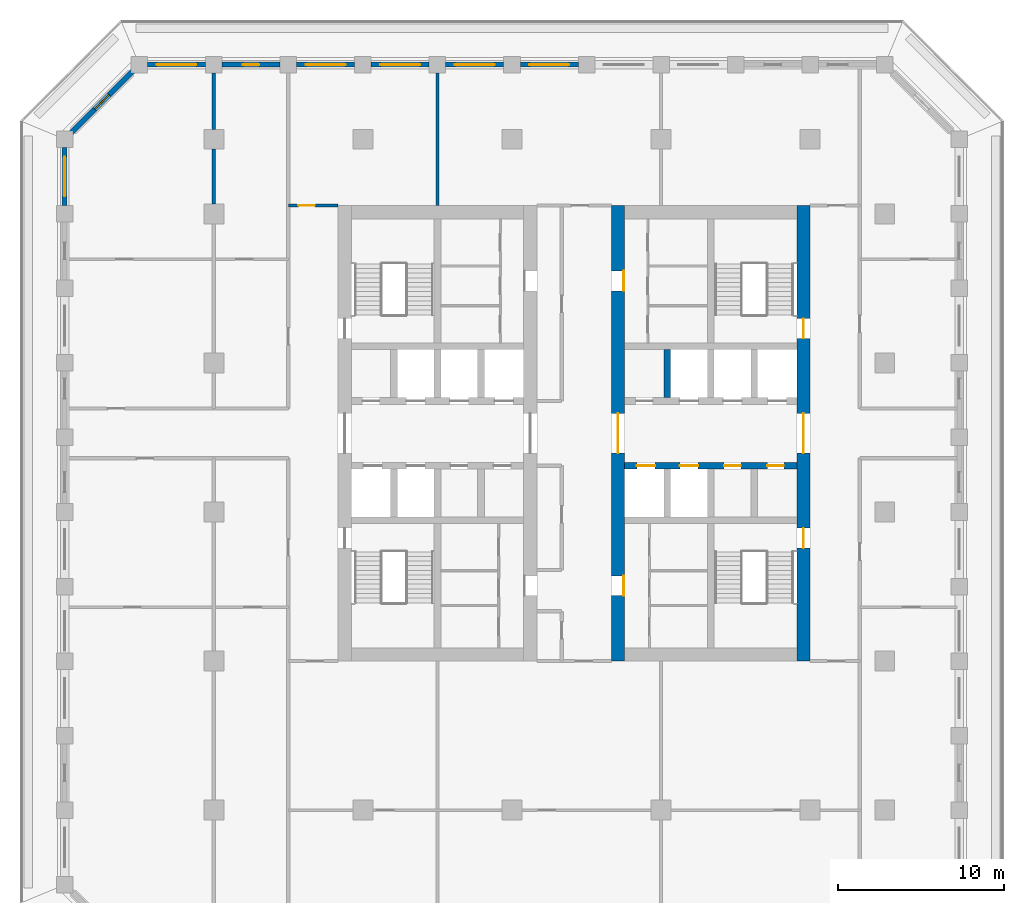
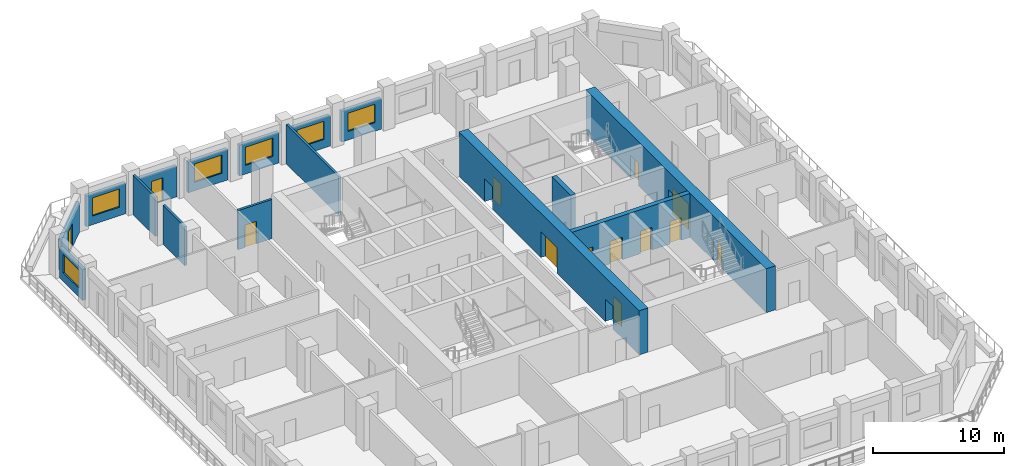
# One storey, part 6 of 16: 16 walls, 13 doors, 6 windows, 19 openings.
"""IFC4 building model written with IfcOpenShell, lengths in metres."""

from ifc_helpers import new_model, si_unit, direction, frame, frame_2d, origin, place, context, subcontext, project, spatial, rectangle, extrude, material, layer, layer_set, type_object, element, fill, save


model = new_model("IFC4")

# Units and contexts
model_context = context("Model", 3, precision=1e-05, world=origin(), true_north=direction((0.0, 1.0)))
body_context = subcontext(model_context, "Body", "Model", "MODEL_VIEW")
ifc_project = project(units=[si_unit("LENGTHUNIT", "METRE"), si_unit("AREAUNIT", "SQUARE_METRE"), si_unit("VOLUMEUNIT", "CUBIC_METRE"), si_unit("PLANEANGLEUNIT", "RADIAN"), si_unit("MASSUNIT", "GRAM", prefix="KILO")], contexts=[model_context])

# Site, building, storey
site_placement = place(None, origin())
site = spatial("IfcSite", under=ifc_project, at=site_placement, CompositionType="ELEMENT")
building_placement = place(site_placement, origin())
building = spatial("IfcBuilding", under=site, at=building_placement, Name="Corbel Stack Research Tower", CompositionType="ELEMENT")
storey_placement = place(building_placement, frame((0.0, 0.0, 169.10009765625)))
storey = spatial("IfcBuildingStorey", under=building, at=storey_placement, Name="L38", CompositionType="ELEMENT", Elevation=169.10009765625)

# Wall, openings, doors
ifc_material_1 = material(Name="Concrete C60/75", Category="concrete")
ifc_layer_1 = layer(ifc_material_1, 0.39990234375)
ifc_layer_set_1 = layer_set([ifc_layer_1], Name="Concrete C60/75")
wall_type_1 = type_object("IfcWallType", Name="CW-400-60", PredefinedType="SHEAR", material=ifc_layer_set_1)
wall_1_placement = place(storey_placement, frame((6.800048828125, 2.800048828125, 0.0), z_axis=(0.0, 0.0, 1.0), x_axis=(1.0, 0.0, 0.0)))
wall_1 = element("IfcWall", 1, at=wall_1_placement, inside=storey, type_object=wall_type_1, Name="East core wall, lobby south L38", PredefinedType="SHEAR", context=body_context, shape_type="SweptSolid", body=[
    extrude(rectangle(XDim=10.39990234375, YDim=0.39990234375, at=frame_2d((5.199951171875, 0.0))), origin(), (0.0, 0.0, 1.0), 4.099853515625),
])
opening_1_placement = place(wall_1_placement, frame((0.737548828125, 0.0, 0.0)))
opening_1 = element("IfcOpeningElement", 2, at=opening_1_placement, cuts=wall_1, Name="Opening LD-FS2", PredefinedType="OPENING", context=body_context, shape_type="SweptSolid", body=[
    extrude(rectangle(XDim=1.10009765625, YDim=2.10009765625, at=frame_2d((0.550048828125, 1.050048828125))), frame((0.0, 0.2099609375, 0.0), z_axis=(0.0, -1.0, 0.0), x_axis=(1.0, 0.0, 0.0)), (0.0, 0.0, 1.0), 0.419921875),
])
opening_2_placement = place(wall_1_placement, frame((3.33740234375, 0.0, 0.0)))
opening_2 = element("IfcOpeningElement", 3, at=opening_2_placement, cuts=wall_1, Name="Opening LD-GL2", PredefinedType="OPENING", context=body_context, shape_type="SweptSolid", body=[
    extrude(rectangle(XDim=1.10009765625, YDim=2.10009765625, at=frame_2d((0.550048828125, 1.050048828125))), frame((0.0, 0.2099609375, 0.0), z_axis=(0.0, -1.0, 0.0), x_axis=(1.0, 0.0, 0.0)), (0.0, 0.0, 1.0), 0.419921875),
])
opening_3_placement = place(wall_1_placement, frame((6.012451171875, 0.0, 0.0)))
opening_3 = element("IfcOpeningElement", 4, at=opening_3_placement, cuts=wall_1, Name="Opening CR-E12-S3", PredefinedType="OPENING", context=body_context, shape_type="SweptSolid", body=[
    extrude(rectangle(XDim=1.0, YDim=2.10009765625, at=frame_2d((0.5, 1.050048828125))), frame((0.0, 0.2099609375, 0.0), z_axis=(0.0, -1.0, 0.0), x_axis=(1.0, 0.0, 0.0)), (0.0, 0.0, 1.0), 0.419921875),
])
opening_4_placement = place(wall_1_placement, frame((8.612548828125, 0.0, 0.0)))
opening_4 = element("IfcOpeningElement", 5, at=opening_4_placement, cuts=wall_1, Name="Opening CR-E12-S4", PredefinedType="OPENING", context=body_context, shape_type="SweptSolid", body=[
    extrude(rectangle(XDim=1.0, YDim=2.10009765625, at=frame_2d((0.5, 1.050048828125))), frame((0.0, 0.2099609375, 0.0), z_axis=(0.0, -1.0, 0.0), x_axis=(1.0, 0.0, 0.0)), (0.0, 0.0, 1.0), 0.419921875),
])
ifc_material_2 = material(Name="Stainless steel landing door", Category="steel")
door_type_1 = type_object("IfcDoorType", Name="Lift landing door 1100 x 2100", OperationType="DOUBLE_DOOR_SLIDING", PredefinedType="DOOR", material=ifc_material_2)
door_1_placement = place(opening_1_placement, origin())
door_1 = element("IfcDoor", 6, at=door_1_placement, inside=storey, type_object=door_type_1, Name="Landing door FS2", OperationType="DOUBLE_DOOR_SLIDING", OverallHeight=2.10009765625, OverallWidth=1.10009765625, PredefinedType="DOOR", context=body_context, shape_type="SweptSolid", body=[
    extrude(rectangle(XDim=1.10009765625, YDim=2.10009765625, at=frame_2d((0.550048828125, 1.050048828125))), frame((0.0, 0.02490234375, 0.0), z_axis=(0.0, -1.0, 0.0), x_axis=(1.0, 0.0, 0.0)), (0.0, 0.0, 1.0), 0.050048828125),
])
fill(opening_1, door_1)
door_2_placement = place(opening_2_placement, origin())
door_2 = element("IfcDoor", 7, at=door_2_placement, inside=storey, type_object=door_type_1, Name="Landing door GL2", OperationType="DOUBLE_DOOR_SLIDING", OverallHeight=2.10009765625, OverallWidth=1.10009765625, PredefinedType="DOOR", context=body_context, shape_type="SweptSolid", body=[
    extrude(rectangle(XDim=1.10009765625, YDim=2.10009765625, at=frame_2d((0.550048828125, 1.050048828125))), frame((0.0, 0.02490234375, 0.0), z_axis=(0.0, -1.0, 0.0), x_axis=(1.0, 0.0, 0.0)), (0.0, 0.0, 1.0), 0.050048828125),
])
fill(opening_2, door_2)
ifc_material_3 = material(Name="Painted steel door", Category="steel")
door_type_2 = type_object("IfcDoorType", Name="Service door 1000 x 2100 FD60 left hand", OperationType="SINGLE_SWING_LEFT", PredefinedType="DOOR", material=ifc_material_3)
door_3_placement = place(opening_3_placement, origin())
door_3 = element("IfcDoor", 8, at=door_3_placement, inside=storey, type_object=door_type_2, Name="Staff WC door E core", OperationType="SINGLE_SWING_LEFT", OverallHeight=2.10009765625, OverallWidth=1.0, PredefinedType="DOOR", context=body_context, shape_type="SweptSolid", body=[
    extrude(rectangle(XDim=1.0, YDim=2.10009765625, at=frame_2d((0.5, 1.050048828125))), frame((0.0, 0.02490234375, 0.0), z_axis=(0.0, -1.0, 0.0), x_axis=(1.0, 0.0, 0.0)), (0.0, 0.0, 1.0), 0.050048828125),
])
fill(opening_3, door_3)
ifc_material_4 = material(Name="Painted steel door", Category="steel")
door_type_3 = type_object("IfcDoorType", Name="Service door 1000 x 2100 FD60 right hand", OperationType="SINGLE_SWING_RIGHT", PredefinedType="DOOR", material=ifc_material_4)
door_4_placement = place(opening_4_placement, origin())
door_4 = element("IfcDoor", 9, at=door_4_placement, inside=storey, type_object=door_type_3, Name="Laboratory consumables store door E core", OperationType="SINGLE_SWING_RIGHT", OverallHeight=2.10009765625, OverallWidth=1.0, PredefinedType="DOOR", context=body_context, shape_type="SweptSolid", body=[
    extrude(rectangle(XDim=1.0, YDim=2.10009765625, at=frame_2d((0.5, 1.050048828125))), frame((0.0, 0.02490234375, 0.0), z_axis=(0.0, -1.0, 0.0), x_axis=(1.0, 0.0, 0.0)), (0.0, 0.0, 1.0), 0.050048828125),
])
fill(opening_4, door_4)

# Wall
wall_2_placement = place(storey_placement, frame((9.375, 6.89990234375, 0.0), z_axis=(0.0, 0.0, 1.0), x_axis=(0.0, 1.0, 0.0)))
element("IfcWall", 10, at=wall_2_placement, inside=storey, type_object=wall_type_1, Name="East core wall, north shaft 1 L38", PredefinedType="SHEAR", context=body_context, shape_type="SweptSolid", body=[
    extrude(rectangle(XDim=2.900146484375, YDim=0.39990234375, at=frame_2d((1.4501953125, 0.0))), origin(), (0.0, 0.0, 1.0), 4.099853515625),
])

# Wall, openings, doors
ifc_material_5 = material(Name="Concrete C60/75", Category="concrete")
ifc_layer_2 = layer(ifc_material_5, 0.800048828125)
ifc_layer_set_2 = layer_set([ifc_layer_2], Name="Concrete C60/75")
wall_type_2 = type_object("IfcWallType", Name="CW-800-60", PredefinedType="SHEAR", material=ifc_layer_set_2)
wall_3_placement = place(storey_placement, frame((6.39990234375, -9.0, 0.0), z_axis=(0.0, 0.0, 1.0), x_axis=(0.0, 1.0, 0.0)))
wall_3 = element("IfcWall", 11, at=wall_3_placement, inside=storey, type_object=wall_type_2, Name="East core wall, west face L38", PredefinedType="SHEAR", context=body_context, shape_type="SweptSolid", body=[
    extrude(rectangle(XDim=27.5, YDim=0.800048828125, at=frame_2d((13.75, 0.0))), origin(), (0.0, 0.0, 1.0), 4.099853515625),
])
opening_5_placement = place(wall_3_placement, frame((12.550048828125, 0.0, 0.0)))
opening_5 = element("IfcOpeningElement", 12, at=opening_5_placement, cuts=wall_3, Name="Opening CD-E-W", PredefinedType="OPENING", context=body_context, shape_type="SweptSolid", body=[
    extrude(rectangle(XDim=2.39990234375, YDim=2.39990234375, at=frame_2d((1.199951171875, 1.199951171875))), frame((0.0, 0.409912109375, 0.0), z_axis=(0.0, -1.0, 0.0), x_axis=(1.0, 0.0, 0.0)), (0.0, 0.0, 1.0), 0.820068359375),
])
opening_6_placement = place(wall_3_placement, frame((3.949951171875, 0.0, 0.0)))
opening_6 = element("IfcOpeningElement", 13, at=opening_6_placement, cuts=wall_3, Name="Opening CR-E12-W1-1200", PredefinedType="OPENING", context=body_context, shape_type="SweptSolid", body=[
    extrude(rectangle(XDim=1.199951171875, YDim=2.10009765625, at=frame_2d((0.60009765625, 1.050048828125))), frame((0.0, 0.409912109375, 0.0), z_axis=(0.0, -1.0, 0.0), x_axis=(1.0, 0.0, 0.0)), (0.0, 0.0, 1.0), 0.820068359375),
])
opening_7_placement = place(wall_3_placement, frame((22.35009765625, 0.0, 0.0)))
opening_7 = element("IfcOpeningElement", 14, at=opening_7_placement, cuts=wall_3, Name="Opening CR-E12-R1-1200", PredefinedType="OPENING", context=body_context, shape_type="SweptSolid", body=[
    extrude(rectangle(XDim=1.199951171875, YDim=2.10009765625, at=frame_2d((0.60009765625, 1.050048828125))), frame((0.0, 0.409912109375, 0.0), z_axis=(0.0, -1.0, 0.0), x_axis=(1.0, 0.0, 0.0)), (0.0, 0.0, 1.0), 0.820068359375),
])
ifc_material_6 = material(Name="Painted steel fire door", Category="steel")
door_type_4 = type_object("IfcDoorType", Name="Lobby door pair 2400 x 2400 FD30S", OperationType="DOUBLE_DOOR_DOUBLE_SWING", PredefinedType="DOOR", material=ifc_material_6)
door_5_placement = place(opening_5_placement, origin())
door_5 = element("IfcDoor", 15, at=door_5_placement, inside=storey, type_object=door_type_4, Name="Lift lobby door E core W", OperationType="DOUBLE_DOOR_DOUBLE_SWING", OverallHeight=2.39990234375, OverallWidth=2.39990234375, PredefinedType="DOOR", context=body_context, shape_type="SweptSolid", body=[
    extrude(rectangle(XDim=2.39990234375, YDim=2.39990234375, at=frame_2d((1.199951171875, 1.199951171875))), frame((0.0, 0.02490234375, 0.0), z_axis=(0.0, -1.0, 0.0), x_axis=(1.0, 0.0, 0.0)), (0.0, 0.0, 1.0), 0.050048828125),
])
fill(opening_5, door_5)
ifc_material_7 = material(Name="Painted steel door", Category="steel")
door_type_5 = type_object("IfcDoorType", Name="Service door 1200 x 2100 FD30 right hand", OperationType="SINGLE_SWING_RIGHT", PredefinedType="DOOR", material=ifc_material_7)
door_6_placement = place(opening_7_placement, origin())
door_6 = element("IfcDoor", 16, at=door_6_placement, inside=storey, type_object=door_type_5, Name="Service passage door E core", OperationType="SINGLE_SWING_RIGHT", OverallHeight=2.10009765625, OverallWidth=1.199951171875, PredefinedType="DOOR", context=body_context, shape_type="SweptSolid", body=[
    extrude(rectangle(XDim=1.199951171875, YDim=2.10009765625, at=frame_2d((0.60009765625, 1.050048828125))), frame((0.0, -0.3251953125, 0.0), z_axis=(0.0, -1.0, 0.0), x_axis=(1.0, 0.0, 0.0)), (0.0, 0.0, 1.0), 0.050048828125),
])
fill(opening_7, door_6)
ifc_material_8 = material(Name="Painted timber door", Category="wood")
door_type_6 = type_object("IfcDoorType", Name="WC door 1200 x 2100 right hand", OperationType="SINGLE_SWING_RIGHT", PredefinedType="DOOR", material=ifc_material_8)
door_7_placement = place(opening_6_placement, origin())
door_7 = element("IfcDoor", 17, at=door_7_placement, inside=storey, type_object=door_type_6, Name="WC lobby door E core", OperationType="SINGLE_SWING_RIGHT", OverallHeight=2.10009765625, OverallWidth=1.199951171875, PredefinedType="DOOR", context=body_context, shape_type="SweptSolid", body=[
    extrude(rectangle(XDim=1.199951171875, YDim=2.10009765625, at=frame_2d((0.60009765625, 1.050048828125))), frame((0.0, -0.3251953125, 0.0), z_axis=(0.0, -1.0, 0.0), x_axis=(1.0, 0.0, 0.0)), (0.0, 0.0, 1.0), 0.050048828125),
])
fill(opening_6, door_7)

wall_4_placement = place(storey_placement, frame((17.60009765625, -9.0, 0.0), z_axis=(0.0, 0.0, 1.0), x_axis=(0.0, 1.0, 0.0)))
wall_4 = element("IfcWall", 18, at=wall_4_placement, inside=storey, type_object=wall_type_2, Name="East core wall, east face L38", PredefinedType="SHEAR", context=body_context, shape_type="SweptSolid", body=[
    extrude(rectangle(XDim=27.5, YDim=0.800048828125, at=frame_2d((13.75, 0.0))), origin(), (0.0, 0.0, 1.0), 4.099853515625),
])
opening_8_placement = place(wall_4_placement, frame((12.550048828125, 0.0, 0.0)))
opening_8 = element("IfcOpeningElement", 19, at=opening_8_placement, cuts=wall_4, Name="Opening CD-E-E", PredefinedType="OPENING", context=body_context, shape_type="SweptSolid", body=[
    extrude(rectangle(XDim=2.39990234375, YDim=2.39990234375, at=frame_2d((1.199951171875, 1.199951171875))), frame((0.0, 0.409912109375, 0.0), z_axis=(0.0, -1.0, 0.0), x_axis=(1.0, 0.0, 0.0)), (0.0, 0.0, 1.0), 0.820068359375),
])
opening_9_placement = place(wall_4_placement, frame((6.824951171875, 0.0, 0.0)))
opening_9 = element("IfcOpeningElement", 20, at=opening_9_placement, cuts=wall_4, Name="Opening SD-ST-E1", PredefinedType="OPENING", context=body_context, shape_type="SweptSolid", body=[
    extrude(rectangle(XDim=1.199951171875, YDim=2.10009765625, at=frame_2d((0.60009765625, 1.050048828125))), frame((0.0, 0.409912109375, 0.0), z_axis=(0.0, -1.0, 0.0), x_axis=(1.0, 0.0, 0.0)), (0.0, 0.0, 1.0), 0.820068359375),
])
opening_10_placement = place(wall_4_placement, frame((19.47509765625, 0.0, 0.0)))
opening_10 = element("IfcOpeningElement", 21, at=opening_10_placement, cuts=wall_4, Name="Opening SD-ST-E2", PredefinedType="OPENING", context=body_context, shape_type="SweptSolid", body=[
    extrude(rectangle(XDim=1.199951171875, YDim=2.10009765625, at=frame_2d((0.60009765625, 1.050048828125))), frame((0.0, 0.409912109375, 0.0), z_axis=(0.0, -1.0, 0.0), x_axis=(1.0, 0.0, 0.0)), (0.0, 0.0, 1.0), 0.820068359375),
])
door_8_placement = place(opening_8_placement, origin())
door_8 = element("IfcDoor", 22, at=door_8_placement, inside=storey, type_object=door_type_4, Name="Lift lobby door E core E", OperationType="DOUBLE_DOOR_DOUBLE_SWING", OverallHeight=2.39990234375, OverallWidth=2.39990234375, PredefinedType="DOOR", context=body_context, shape_type="SweptSolid", body=[
    extrude(rectangle(XDim=2.39990234375, YDim=2.39990234375, at=frame_2d((1.199951171875, 1.199951171875))), frame((0.0, 0.02490234375, 0.0), z_axis=(0.0, -1.0, 0.0), x_axis=(1.0, 0.0, 0.0)), (0.0, 0.0, 1.0), 0.050048828125),
])
fill(opening_8, door_8)
ifc_material_9 = material(Name="Painted steel fire door", Category="steel")
door_type_7 = type_object("IfcDoorType", Name="Stair door 1200 x 2100 FD90 right hand", OperationType="SINGLE_SWING_RIGHT", PredefinedType="DOOR", material=ifc_material_9)
door_9_placement = place(opening_9_placement, frame((1.199951171875, 0.0, 0.0), z_axis=(0.0, 0.0, 1.0), x_axis=(-1.0, 0.0, 0.0)))
door_9 = element("IfcDoor", 23, at=door_9_placement, inside=storey, type_object=door_type_7, Name="Stair door ST-E1", OperationType="SINGLE_SWING_LEFT", OverallHeight=2.10009765625, OverallWidth=1.199951171875, PredefinedType="DOOR", context=body_context, shape_type="SweptSolid", body=[
    extrude(rectangle(XDim=1.199951171875, YDim=2.10009765625, at=frame_2d((0.60009765625, 1.050048828125))), frame((0.0, 0.02490234375, 0.0), z_axis=(0.0, -1.0, 0.0), x_axis=(1.0, 0.0, 0.0)), (0.0, 0.0, 1.0), 0.050048828125),
])
fill(opening_9, door_9)
door_10_placement = place(opening_10_placement, frame((1.199951171875, 0.0, 0.0), z_axis=(0.0, 0.0, 1.0), x_axis=(-1.0, 0.0, 0.0)))
door_10 = element("IfcDoor", 24, at=door_10_placement, inside=storey, type_object=door_type_7, Name="Stair door ST-E2", OperationType="SINGLE_SWING_LEFT", OverallHeight=2.10009765625, OverallWidth=1.199951171875, PredefinedType="DOOR", context=body_context, shape_type="SweptSolid", body=[
    extrude(rectangle(XDim=1.199951171875, YDim=2.10009765625, at=frame_2d((0.60009765625, 1.050048828125))), frame((0.0, 0.02490234375, 0.0), z_axis=(0.0, -1.0, 0.0), x_axis=(1.0, 0.0, 0.0)), (0.0, 0.0, 1.0), 0.050048828125),
])
fill(opening_10, door_10)

# Walls
ifc_material_10 = material(Name="Fire-rated gypsum board partition on steel studs", Category="steel")
ifc_layer_3 = layer(ifc_material_10, 0.199951171875)
ifc_layer_set_3 = layer_set([ifc_layer_3], Name="Fire-rated gypsum board partition on steel studs")
wall_type_3 = type_object("IfcWallType", Name="Fire-rated partition 200 EI 60", PredefinedType="PARTITIONING", material=ifc_layer_set_3)
wall_5_placement = place(storey_placement, frame((-18.0, 18.60009765625, 0.0), z_axis=(0.0, 0.0, 1.0), x_axis=(0.0, 1.0, 0.0)))
element("IfcWall", 25, at=wall_5_placement, inside=storey, type_object=wall_type_3, Name="Partition L38-007", PredefinedType="PARTITIONING", context=body_context, shape_type="SweptSolid", body=[
    extrude(rectangle(XDim=3.2998046875, YDim=0.199951171875, at=frame_2d((1.64990234375, 0.0))), origin(), (0.0, 0.0, 1.0), 3.64990234375),
])
wall_6_placement = place(storey_placement, frame((-18.0, 23.10009765625, 0.0), z_axis=(0.0, 0.0, 1.0), x_axis=(0.0, 1.0, 0.0)))
element("IfcWall", 26, at=wall_6_placement, inside=storey, type_object=wall_type_3, Name="Partition L38-008", PredefinedType="PARTITIONING", context=body_context, shape_type="SweptSolid", body=[
    extrude(rectangle(XDim=3.39990234375, YDim=0.199951171875, at=frame_2d((1.699951171875, 0.0))), origin(), (0.0, 0.0, 1.0), 3.64990234375),
])
wall_7_placement = place(storey_placement, frame((-4.5, 18.5, 0.0), z_axis=(0.0, 0.0, 1.0), x_axis=(0.0, 1.0, 0.0)))
element("IfcWall", 27, at=wall_7_placement, inside=storey, type_object=wall_type_3, Name="Partition L38-012", PredefinedType="PARTITIONING", context=body_context, shape_type="SweptSolid", body=[
    extrude(rectangle(XDim=8.0, YDim=0.199951171875, at=frame_2d((4.0, 0.0))), origin(), (0.0, 0.0, 1.0), 3.64990234375),
])

# Wall, opening, door
wall_8_placement = place(storey_placement, frame((-13.5, 18.5, 0.0), z_axis=(0.0, 0.0, 1.0), x_axis=(1.0, 0.0, 0.0)))
wall_8 = element("IfcWall", 28, at=wall_8_placement, inside=storey, type_object=wall_type_3, Name="Partition L38-042", PredefinedType="PARTITIONING", context=body_context, shape_type="SweptSolid", body=[
    extrude(rectangle(XDim=3.0, YDim=0.199951171875, at=frame_2d((1.5, 0.0))), origin(), (0.0, 0.0, 1.0), 3.64990234375),
])
opening_11_placement = place(wall_8_placement, frame((0.60009765625, 0.0, 0.0)))
opening_11 = element("IfcOpeningElement", 29, at=opening_11_placement, cuts=wall_8, Name="Opening B5V1-020", PredefinedType="OPENING", context=body_context, shape_type="SweptSolid", body=[
    extrude(rectangle(XDim=1.0, YDim=2.10009765625, at=frame_2d((0.5, 1.050048828125))), frame((0.0, 0.10986328125, 0.0), z_axis=(0.0, -1.0, 0.0), x_axis=(1.0, 0.0, 0.0)), (0.0, 0.0, 1.0), 0.219970703125),
])
ifc_material_11 = material(Name="Painted steel fire door", Category="steel")
door_type_8 = type_object("IfcDoorType", Name="Fire door FD30S 1000 x 2100", OperationType="NOTDEFINED", PredefinedType="DOOR", material=ifc_material_11)
door_11_placement = place(opening_11_placement, origin())
door_11 = element("IfcDoor", 30, at=door_11_placement, inside=storey, type_object=door_type_8, Name="Door B5V1-020", OperationType="SINGLE_SWING_LEFT", OverallHeight=2.10009765625, OverallWidth=1.0, PredefinedType="DOOR", context=body_context, shape_type="SweptSolid", body=[
    extrude(rectangle(XDim=1.0, YDim=2.10009765625, at=frame_2d((0.5, 1.050048828125))), frame((0.0, 0.02490234375, 0.0), z_axis=(0.0, -1.0, 0.0), x_axis=(1.0, 0.0, 0.0)), (0.0, 0.0, 1.0), 0.050048828125),
])
fill(opening_11, door_11)

# Wall, opening, window
ifc_material_12 = material(Name="Concrete C45/55", Category="concrete")
ifc_layer_4 = layer(ifc_material_12, 0.300048828125)
ifc_layer_set_4 = layer_set([ifc_layer_4], Name="Concrete C45/55")
wall_type_4 = type_object("IfcWallType", Name="Terracotta-faced concrete wall 300", PredefinedType="SOLIDWALL", material=ifc_layer_set_4)
wall_9_placement = place(storey_placement, frame((0.5, 27.0, 0.0), z_axis=(0.0, 0.0, 1.0), x_axis=(1.0, 0.0, 0.0)))
wall_9 = element("IfcWall", 31, at=wall_9_placement, inside=storey, type_object=wall_type_4, Name="Facade wall L38 N05", PredefinedType="SOLIDWALL", context=body_context, shape_type="SweptSolid", body=[
    extrude(rectangle(XDim=3.5, YDim=0.300048828125, at=frame_2d((1.75, 0.0))), origin(), (0.0, 0.0, 1.0), 2.849853515625),
])
opening_12_placement = place(wall_9_placement, frame((0.550048828125, 0.0, 0.800048828125)))
opening_12 = element("IfcOpeningElement", 32, at=opening_12_placement, cuts=wall_9, Name="Opening W1", PredefinedType="OPENING", context=body_context, shape_type="SweptSolid", body=[
    extrude(rectangle(XDim=2.39990234375, YDim=1.699951171875, at=frame_2d((1.199951171875, 0.85009765625))), frame((0.0, 0.159912109375, 0.0), z_axis=(0.0, -1.0, 0.0), x_axis=(1.0, 0.0, 0.0)), (0.0, 0.0, 1.0), 0.320068359375),
])
ifc_material_13 = material(Name="Aluminium frame, clear double glazing", Category="aluminium")
window_type = type_object("IfcWindowType", Name="Window W1 2400 x 1700", PartitioningType="SINGLE_PANEL", PredefinedType="WINDOW", material=ifc_material_13)
window_1_placement = place(opening_12_placement, origin())
window_1 = element("IfcWindow", 33, at=window_1_placement, inside=storey, type_object=window_type, Name="Window W1 L38 N05", OverallHeight=1.699951171875, OverallWidth=2.39990234375, PartitioningType="SINGLE_PANEL", PredefinedType="WINDOW", context=body_context, shape_type="SweptSolid", body=[
    extrude(rectangle(XDim=2.39990234375, YDim=1.699951171875, at=frame_2d((1.199951171875, 0.85009765625))), frame((0.0, 0.030029296875, 0.0), z_axis=(0.0, -1.0, 0.0), x_axis=(1.0, 0.0, 0.0)), (0.0, 0.0, 1.0), 0.06005859375),
])
fill(opening_12, window_1)

wall_10_placement = place(storey_placement, frame((-4.0, 27.0, 0.0), z_axis=(0.0, 0.0, 1.0), x_axis=(1.0, 0.0, 0.0)))
wall_10 = element("IfcWall", 34, at=wall_10_placement, inside=storey, type_object=wall_type_4, Name="Facade wall L38 N06", PredefinedType="SOLIDWALL", context=body_context, shape_type="SweptSolid", body=[
    extrude(rectangle(XDim=3.5, YDim=0.300048828125, at=frame_2d((1.75, 0.0))), origin(), (0.0, 0.0, 1.0), 2.849853515625),
])
opening_13_placement = place(wall_10_placement, frame((0.550048828125, 0.0, 0.800048828125)))
opening_13 = element("IfcOpeningElement", 35, at=opening_13_placement, cuts=wall_10, Name="Opening W1", PredefinedType="OPENING", context=body_context, shape_type="SweptSolid", body=[
    extrude(rectangle(XDim=2.39990234375, YDim=1.699951171875, at=frame_2d((1.199951171875, 0.85009765625))), frame((0.0, 0.159912109375, 0.0), z_axis=(0.0, -1.0, 0.0), x_axis=(1.0, 0.0, 0.0)), (0.0, 0.0, 1.0), 0.320068359375),
])
window_2_placement = place(opening_13_placement, origin())
window_2 = element("IfcWindow", 36, at=window_2_placement, inside=storey, type_object=window_type, Name="Window W1 L38 N06", OverallHeight=1.699951171875, OverallWidth=2.39990234375, PartitioningType="SINGLE_PANEL", PredefinedType="WINDOW", context=body_context, shape_type="SweptSolid", body=[
    extrude(rectangle(XDim=2.39990234375, YDim=1.699951171875, at=frame_2d((1.199951171875, 0.85009765625))), frame((0.0, 0.030029296875, 0.0), z_axis=(0.0, -1.0, 0.0), x_axis=(1.0, 0.0, 0.0)), (0.0, 0.0, 1.0), 0.06005859375),
])
fill(opening_13, window_2)

wall_11_placement = place(storey_placement, frame((-8.5, 27.0, 0.0), z_axis=(0.0, 0.0, 1.0), x_axis=(1.0, 0.0, 0.0)))
wall_11 = element("IfcWall", 37, at=wall_11_placement, inside=storey, type_object=wall_type_4, Name="Facade wall L38 N07", PredefinedType="SOLIDWALL", context=body_context, shape_type="SweptSolid", body=[
    extrude(rectangle(XDim=3.5, YDim=0.300048828125, at=frame_2d((1.75, 0.0))), origin(), (0.0, 0.0, 1.0), 2.849853515625),
])
opening_14_placement = place(wall_11_placement, frame((0.550048828125, 0.0, 0.800048828125)))
opening_14 = element("IfcOpeningElement", 38, at=opening_14_placement, cuts=wall_11, Name="Opening W1", PredefinedType="OPENING", context=body_context, shape_type="SweptSolid", body=[
    extrude(rectangle(XDim=2.39990234375, YDim=1.699951171875, at=frame_2d((1.199951171875, 0.85009765625))), frame((0.0, 0.159912109375, 0.0), z_axis=(0.0, -1.0, 0.0), x_axis=(1.0, 0.0, 0.0)), (0.0, 0.0, 1.0), 0.320068359375),
])
window_3_placement = place(opening_14_placement, origin())
window_3 = element("IfcWindow", 39, at=window_3_placement, inside=storey, type_object=window_type, Name="Window W1 L38 N07", OverallHeight=1.699951171875, OverallWidth=2.39990234375, PartitioningType="SINGLE_PANEL", PredefinedType="WINDOW", context=body_context, shape_type="SweptSolid", body=[
    extrude(rectangle(XDim=2.39990234375, YDim=1.699951171875, at=frame_2d((1.199951171875, 0.85009765625))), frame((0.0, 0.030029296875, 0.0), z_axis=(0.0, -1.0, 0.0), x_axis=(1.0, 0.0, 0.0)), (0.0, 0.0, 1.0), 0.06005859375),
])
fill(opening_14, window_3)

wall_12_placement = place(storey_placement, frame((-13.0, 27.0, 0.0), z_axis=(0.0, 0.0, 1.0), x_axis=(1.0, 0.0, 0.0)))
wall_12 = element("IfcWall", 40, at=wall_12_placement, inside=storey, type_object=wall_type_4, Name="Facade wall L38 N08", PredefinedType="SOLIDWALL", context=body_context, shape_type="SweptSolid", body=[
    extrude(rectangle(XDim=3.5, YDim=0.300048828125, at=frame_2d((1.75, 0.0))), origin(), (0.0, 0.0, 1.0), 2.849853515625),
])
opening_15_placement = place(wall_12_placement, frame((0.550048828125, 0.0, 0.800048828125)))
opening_15 = element("IfcOpeningElement", 41, at=opening_15_placement, cuts=wall_12, Name="Opening W1", PredefinedType="OPENING", context=body_context, shape_type="SweptSolid", body=[
    extrude(rectangle(XDim=2.39990234375, YDim=1.699951171875, at=frame_2d((1.199951171875, 0.85009765625))), frame((0.0, 0.159912109375, 0.0), z_axis=(0.0, -1.0, 0.0), x_axis=(1.0, 0.0, 0.0)), (0.0, 0.0, 1.0), 0.320068359375),
])
window_4_placement = place(opening_15_placement, origin())
window_4 = element("IfcWindow", 42, at=window_4_placement, inside=storey, type_object=window_type, Name="Window W1 L38 N08", OverallHeight=1.699951171875, OverallWidth=2.39990234375, PartitioningType="SINGLE_PANEL", PredefinedType="WINDOW", context=body_context, shape_type="SweptSolid", body=[
    extrude(rectangle(XDim=2.39990234375, YDim=1.699951171875, at=frame_2d((1.199951171875, 0.85009765625))), frame((0.0, 0.030029296875, 0.0), z_axis=(0.0, -1.0, 0.0), x_axis=(1.0, 0.0, 0.0)), (0.0, 0.0, 1.0), 0.06005859375),
])
fill(opening_15, window_4)

# Wall, opening, door
wall_13_placement = place(storey_placement, frame((-17.5, 27.0, 0.0), z_axis=(0.0, 0.0, 1.0), x_axis=(1.0, 0.0, 0.0)))
wall_13 = element("IfcWall", 43, at=wall_13_placement, inside=storey, type_object=wall_type_4, Name="Facade wall L38 N09", PredefinedType="SOLIDWALL", context=body_context, shape_type="SweptSolid", body=[
    extrude(rectangle(XDim=3.5, YDim=0.300048828125, at=frame_2d((1.75, 0.0))), origin(), (0.0, 0.0, 1.0), 2.849853515625),
])
opening_16_placement = place(wall_13_placement, frame((1.25, 0.0, 0.0)))
opening_16 = element("IfcOpeningElement", 44, at=opening_16_placement, cuts=wall_13, Name="Opening L38-B08", PredefinedType="OPENING", context=body_context, shape_type="SweptSolid", body=[
    extrude(rectangle(XDim=1.0, YDim=2.199951171875, at=frame_2d((0.5, 1.10009765625))), frame((0.0, 0.159912109375, 0.0), z_axis=(0.0, -1.0, 0.0), x_axis=(1.0, 0.0, 0.0)), (0.0, 0.0, 1.0), 0.320068359375),
])
ifc_material_14 = material(Name="Aluminium frame, clear double glazing", Category="aluminium")
door_type_9 = type_object("IfcDoorType", Name="Balcony door BD1 1000 x 2200", OperationType="NOTDEFINED", PredefinedType="DOOR", material=ifc_material_14)
door_12_placement = place(opening_16_placement, origin())
door_12 = element("IfcDoor", 45, at=door_12_placement, inside=storey, type_object=door_type_9, Name="Balcony door L38-B08", OperationType="SINGLE_SWING_LEFT", OverallHeight=2.199951171875, OverallWidth=1.0, PredefinedType="DOOR", context=body_context, shape_type="SweptSolid", body=[
    extrude(rectangle(XDim=1.0, YDim=2.199951171875, at=frame_2d((0.5, 1.10009765625))), frame((0.0, 0.02490234375, 0.0), z_axis=(0.0, -1.0, 0.0), x_axis=(1.0, 0.0, 0.0)), (0.0, 0.0, 1.0), 0.050048828125),
])
fill(opening_16, door_12)

# Wall, opening, window
wall_14_placement = place(storey_placement, frame((-22.0, 27.0, 0.0), z_axis=(0.0, 0.0, 1.0), x_axis=(1.0, 0.0, 0.0)))
wall_14 = element("IfcWall", 46, at=wall_14_placement, inside=storey, type_object=wall_type_4, Name="Facade wall L38 N10", PredefinedType="SOLIDWALL", context=body_context, shape_type="SweptSolid", body=[
    extrude(rectangle(XDim=3.5, YDim=0.300048828125, at=frame_2d((1.75, 0.0))), origin(), (0.0, 0.0, 1.0), 2.849853515625),
])
opening_17_placement = place(wall_14_placement, frame((0.550048828125, 0.0, 0.800048828125)))
opening_17 = element("IfcOpeningElement", 47, at=opening_17_placement, cuts=wall_14, Name="Opening W1", PredefinedType="OPENING", context=body_context, shape_type="SweptSolid", body=[
    extrude(rectangle(XDim=2.39990234375, YDim=1.699951171875, at=frame_2d((1.199951171875, 0.85009765625))), frame((0.0, 0.159912109375, 0.0), z_axis=(0.0, -1.0, 0.0), x_axis=(1.0, 0.0, 0.0)), (0.0, 0.0, 1.0), 0.320068359375),
])
window_5_placement = place(opening_17_placement, origin())
window_5 = element("IfcWindow", 48, at=window_5_placement, inside=storey, type_object=window_type, Name="Window W1 L38 N10", OverallHeight=1.699951171875, OverallWidth=2.39990234375, PartitioningType="SINGLE_PANEL", PredefinedType="WINDOW", context=body_context, shape_type="SweptSolid", body=[
    extrude(rectangle(XDim=2.39990234375, YDim=1.699951171875, at=frame_2d((1.199951171875, 0.85009765625))), frame((0.0, 0.030029296875, 0.0), z_axis=(0.0, -1.0, 0.0), x_axis=(1.0, 0.0, 0.0)), (0.0, 0.0, 1.0), 0.06005859375),
])
fill(opening_17, window_5)

# Wall, opening, door
wall_15_placement = place(storey_placement, frame((-26.606201171875, 22.893798828125, 0.0), z_axis=(0.0, 0.0, 1.0), x_axis=(0.707106781187, 0.707106781187, 0.0)))
wall_15 = element("IfcWall", 49, at=wall_15_placement, inside=storey, type_object=wall_type_4, Name="Facade wall L38 NW01", PredefinedType="SOLIDWALL", context=body_context, shape_type="SweptSolid", body=[
    extrude(rectangle(XDim=5.250244140625, YDim=0.300048828125, at=frame_2d((2.625, 0.0))), origin(), (0.0, 0.0, 1.0), 2.849853515625),
])
opening_18_placement = place(wall_15_placement, frame((2.02490234375, 0.0, 0.0)))
opening_18 = element("IfcOpeningElement", 50, at=opening_18_placement, cuts=wall_15, Name="Opening L38-B09", PredefinedType="OPENING", context=body_context, shape_type="SweptSolid", body=[
    extrude(rectangle(XDim=1.199951171875, YDim=2.199951171875, at=frame_2d((0.60009765625, 1.10009765625))), frame((0.0, 0.159912109375, 0.0), z_axis=(0.0, -1.0, 0.0), x_axis=(1.0, 0.0, 0.0)), (0.0, 0.0, 1.0), 0.320068359375),
])
ifc_material_15 = material(Name="Aluminium frame, clear double glazing", Category="aluminium")
door_type_10 = type_object("IfcDoorType", Name="Balcony door BD2 1200 x 2200", OperationType="NOTDEFINED", PredefinedType="DOOR", material=ifc_material_15)
door_13_placement = place(opening_18_placement, origin())
door_13 = element("IfcDoor", 51, at=door_13_placement, inside=storey, type_object=door_type_10, Name="Balcony door L38-B09", OperationType="SINGLE_SWING_LEFT", OverallHeight=2.199951171875, OverallWidth=1.199951171875, PredefinedType="DOOR", context=body_context, shape_type="SweptSolid", body=[
    extrude(rectangle(XDim=1.199951171875, YDim=2.199951171875, at=frame_2d((0.60009765625, 1.10009765625))), frame((0.0, 0.02490234375, 0.0), z_axis=(0.0, -1.0, 0.0), x_axis=(1.0, 0.0, 0.0)), (0.0, 0.0, 1.0), 0.050048828125),
])
fill(opening_18, door_13)

# Wall, opening, window
wall_16_placement = place(storey_placement, frame((-27.0, 18.5, 0.0), z_axis=(0.0, 0.0, 1.0), x_axis=(0.0, 1.0, 0.0)))
wall_16 = element("IfcWall", 52, at=wall_16_placement, inside=storey, type_object=wall_type_4, Name="Facade wall L38 W01", PredefinedType="SOLIDWALL", context=body_context, shape_type="SweptSolid", body=[
    extrude(rectangle(XDim=3.5, YDim=0.300048828125, at=frame_2d((1.75, 0.0))), origin(), (0.0, 0.0, 1.0), 2.849853515625),
])
opening_19_placement = place(wall_16_placement, frame((0.550048828125, 0.0, 0.800048828125)))
opening_19 = element("IfcOpeningElement", 53, at=opening_19_placement, cuts=wall_16, Name="Opening W1", PredefinedType="OPENING", context=body_context, shape_type="SweptSolid", body=[
    extrude(rectangle(XDim=2.39990234375, YDim=1.699951171875, at=frame_2d((1.199951171875, 0.85009765625))), frame((0.0, 0.159912109375, 0.0), z_axis=(0.0, -1.0, 0.0), x_axis=(1.0, 0.0, 0.0)), (0.0, 0.0, 1.0), 0.320068359375),
])
window_6_placement = place(opening_19_placement, origin())
window_6 = element("IfcWindow", 54, at=window_6_placement, inside=storey, type_object=window_type, Name="Window W1 L38 W01", OverallHeight=1.699951171875, OverallWidth=2.39990234375, PartitioningType="SINGLE_PANEL", PredefinedType="WINDOW", context=body_context, shape_type="SweptSolid", body=[
    extrude(rectangle(XDim=2.39990234375, YDim=1.699951171875, at=frame_2d((1.199951171875, 0.85009765625))), frame((0.0, 0.030029296875, 0.0), z_axis=(0.0, -1.0, 0.0), x_axis=(1.0, 0.0, 0.0)), (0.0, 0.0, 1.0), 0.06005859375),
])
fill(opening_19, window_6)

save(model, "model.ifc")
